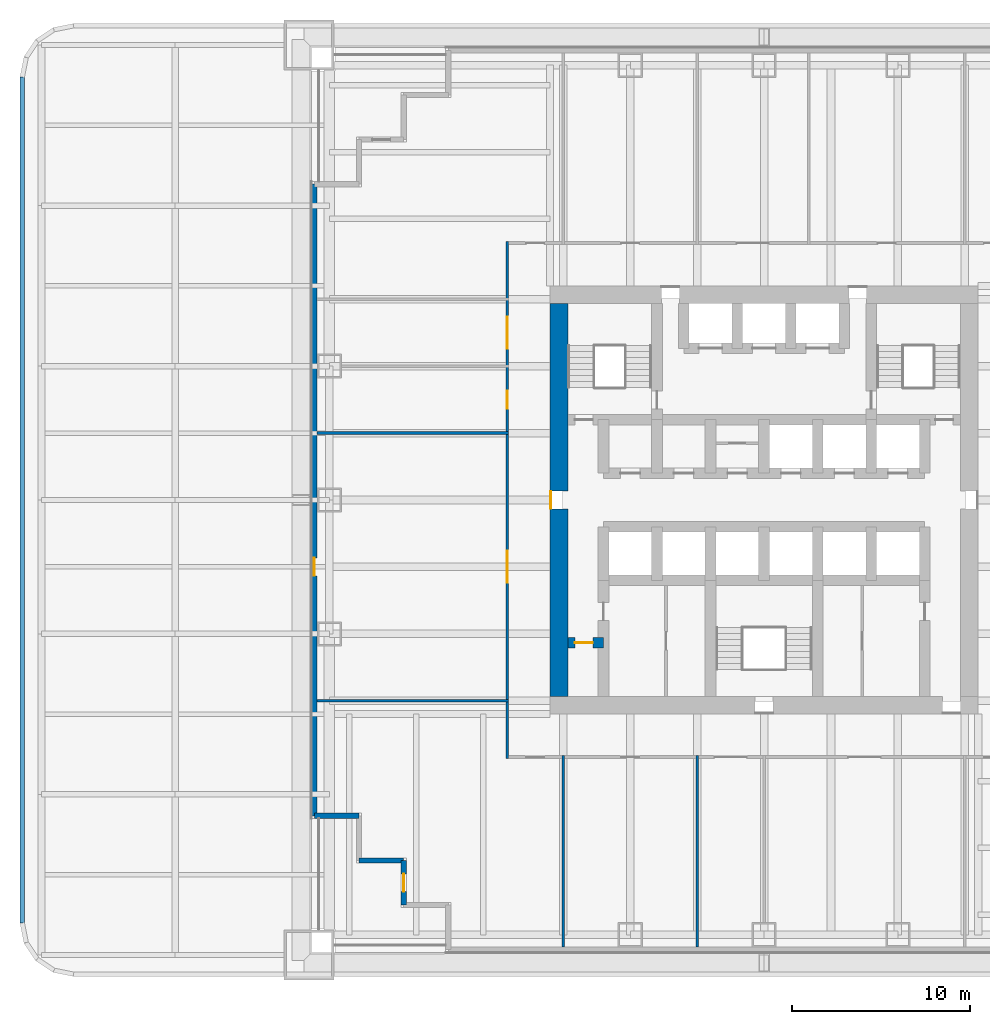
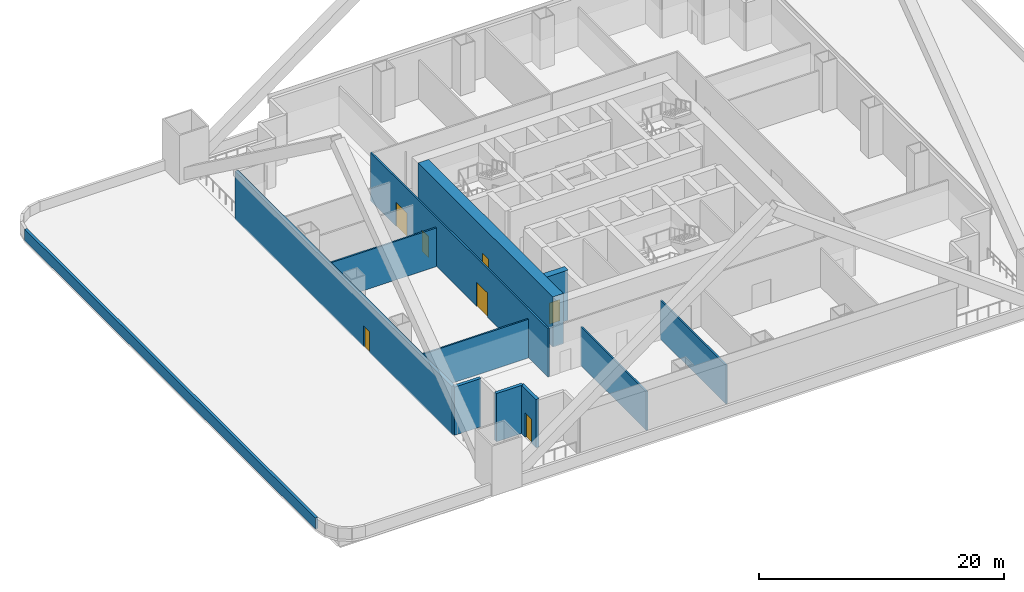
# One storey, part 4 of 10: 12 walls, 7 doors, 7 openings.
"""IFC4 building model written with IfcOpenShell, lengths in metres."""

import ifcopenshell
import ifcopenshell.guid

model = None  # the IFC model being written
_history = None  # IfcOwnerHistory: only IFC2X3 demands one
_inside = {}  # id of a spatial element -> (the spatial element, [elements in it])
_under = {}  # id of a project, library or spatial element -> (it, [spatial elements below it])
_declared = {}  # id of a project -> (the project, [libraries it declares])
_typed = {}  # id of a type object -> (the type object, [elements of that type])
_made_of = {}  # id of a material, layer set ... -> (it, [elements and type objects made of it])


def new_model(schema):
    """Start an empty IFC model of exactly this schema.

    Asked for "IFC4X3", IfcOpenShell would pick the latest addendum, in which some entities
    have other attributes; the version numbers below select the first issue.
    IFC2X3 requires an IfcOwnerHistory on every rooted entity: one is made here for all.
    """
    global model, _history
    if schema == "IFC4X3":
        model = ifcopenshell.file(schema_version=(4, 3, 0, 0))
    else:
        model = ifcopenshell.file(schema=schema)
    _inside.clear()
    _under.clear()
    _declared.clear()
    _typed.clear()
    _made_of.clear()
    _history = None
    if model.schema == "IFC2X3":
        org = make("IfcOrganization", Name="unknown")
        user = make(
            "IfcPersonAndOrganization",
            ThePerson=make("IfcPerson", FamilyName="unknown"),
            TheOrganization=org,
        )
        app = make(
            "IfcApplication",
            ApplicationDeveloper=org,
            Version="unknown",
            ApplicationFullName="unknown",
            ApplicationIdentifier="unknown",
        )
        _history = make(
            "IfcOwnerHistory",
            OwningUser=user,
            OwningApplication=app,
            ChangeAction="ADDED",
            CreationDate=0,
        )
    return model


def make(cls, **values):
    """One entity of the class cls with the attributes given. An attribute that is None is left unset."""
    return model.create_entity(
        cls, **{name: value for name, value in values.items() if value is not None}
    )


def rooted(cls, **values):
    """An entity with a GlobalId (a new one), such as an element, a storey or a relation."""
    return make(cls, GlobalId=ifcopenshell.guid.new(), OwnerHistory=_history, **values)


def si_unit(unit_type, name, prefix=None):
    """IfcSIUnit, for example si_unit("LENGTHUNIT", "METRE", prefix="MILLI")."""
    return make("IfcSIUnit", UnitType=unit_type, Prefix=prefix, Name=name)


def assignment(units):
    """IfcUnitAssignment: the units of a project."""
    return None if units is None else make("IfcUnitAssignment", Units=units)


def point(xyz):
    """IfcCartesianPoint."""
    return None if xyz is None else make("IfcCartesianPoint", Coordinates=xyz)


def direction(xyz):
    """IfcDirection."""
    return None if xyz is None else make("IfcDirection", DirectionRatios=xyz)


def frame(location, z_axis=None, x_axis=None):
    """IfcAxis2Placement3D, a coordinate frame: its origin and axes. An axis left out is left unset."""
    return make(
        "IfcAxis2Placement3D",
        Location=point(location),
        Axis=direction(z_axis),
        RefDirection=direction(x_axis),
    )


def frame_2d(location, x_axis=None):
    """IfcAxis2Placement2D, a coordinate frame in the plane: its origin and x axis."""
    return make(
        "IfcAxis2Placement2D", Location=point(location), RefDirection=direction(x_axis)
    )


def origin():
    """The frame at (0, 0, 0) with its axes left unset."""
    return frame((0.0, 0.0, 0.0))


def place(relative_to, where):
    """IfcLocalPlacement: puts the frame where relative to a parent placement (None: the world)."""
    return make(
        "IfcLocalPlacement", PlacementRelTo=relative_to, RelativePlacement=where
    )


def context(
    kind, dimensions, precision=None, world=None, true_north=None, identifier=None
):
    """IfcGeometricRepresentationContext, for example the 3D "Model" context."""
    return make(
        "IfcGeometricRepresentationContext",
        ContextIdentifier=identifier,
        ContextType=kind,
        CoordinateSpaceDimension=dimensions,
        Precision=precision,
        WorldCoordinateSystem=world,
        TrueNorth=true_north,
    )


def subcontext(parent, identifier, kind, view, scale=None):
    """IfcGeometricRepresentationSubContext, for example "Body" below "Model"."""
    return make(
        "IfcGeometricRepresentationSubContext",
        ContextIdentifier=identifier,
        ContextType=kind,
        ParentContext=parent,
        TargetScale=scale,
        TargetView=view,
    )


def project(units=None, contexts=None):
    """IfcProject with its units and contexts."""
    return rooted(
        "IfcProject",
        Name="project",
        RepresentationContexts=contexts,
        UnitsInContext=assignment(units),
    )


def spatial(cls, under=None, at=None, **own):
    """A site, building, storey or space (cls), placed at a placement, below another one or the project."""
    s = rooted(cls, ObjectPlacement=at, **own)
    if under is not None:
        _under.setdefault(under.id(), (under, []))[1].append(s)
    return s


def profile(cls, at=None, kind="AREA", **sizes):
    """A parametric profile (cls). Its sizes go by their IFC names, for example OverallWidth=200.0."""
    return make(cls, ProfileType=kind, Position=at, **sizes)


def rectangle(**sizes):
    """IfcRectangleProfileDef."""
    return profile("IfcRectangleProfileDef", **sizes)


def extrude(swept, where, along, depth):
    """IfcExtrudedAreaSolid: the profile swept, set in the frame where, extruded along a direction by depth."""
    return make(
        "IfcExtrudedAreaSolid",
        SweptArea=swept,
        Position=where,
        ExtrudedDirection=direction(along),
        Depth=depth,
    )


def shape(context_of_items, identifier, shape_type, items):
    """IfcShapeRepresentation: the items that make up one representation, for example the "Body"."""
    return make(
        "IfcShapeRepresentation",
        ContextOfItems=context_of_items,
        RepresentationIdentifier=identifier,
        RepresentationType=shape_type,
        Items=items,
    )


def material(Name=None, Category=None):
    """IfcMaterial."""
    return make("IfcMaterial", Name=Name, Category=Category)


def layer(
    of_material, thickness, ventilated=None, Name=None, Category=None, Priority=None
):
    """IfcMaterialLayer: one layer of a wall or slab, of a material (None: an air gap)."""
    return make(
        "IfcMaterialLayer",
        Material=of_material,
        LayerThickness=thickness,
        IsVentilated=ventilated,
        Name=Name,
        Category=Category,
        Priority=Priority,
    )


def layer_set(layers, Name=None):
    """IfcMaterialLayerSet."""
    return make("IfcMaterialLayerSet", MaterialLayers=layers, LayerSetName=Name)


def made_of(thing, what):
    """Note that an element or type object is made of a material, layer set ...; save() writes the relation."""
    if what is not None:
        _made_of.setdefault(what.id(), (what, []))[1].append(thing)
    return thing


def type_object(cls, material=None, **own):
    """A type object (cls), such as IfcWallType, which elements share."""
    return made_of(rooted(cls, **own), material)


def element(
    cls,
    number,
    at=None,
    inside=None,
    cuts=None,
    type_object=None,
    material=None,
    context=None,
    identifier="Body",
    shape_type=None,
    held_by="IfcProductDefinitionShape",
    body=None,
    shapes=None,
    **own,
):
    """One element of the class cls, such as IfcWall. Its Tag is "e" and its number.

    at: its placement. inside: the storey or other place that contains it. cuts: it is an
    opening in that element (IfcRelVoidsElement). A single representation is given by context,
    identifier, shape_type and body (its items); several are given by shapes. held_by: the class
    of the entity that holds the representations. save() writes the other relations.
    """
    e = rooted(cls, Tag="e%d" % number, ObjectPlacement=at, **own)
    if body is not None:
        shapes = [shape(context, identifier, shape_type, body)]
    if shapes is not None:
        e.Representation = make(held_by, Representations=shapes)
    if inside is not None:
        _inside.setdefault(inside.id(), (inside, []))[1].append(e)
    if cuts is not None:
        rooted(
            "IfcRelVoidsElement", RelatingBuildingElement=cuts, RelatedOpeningElement=e
        )
    if type_object is not None:
        _typed.setdefault(type_object.id(), (type_object, []))[1].append(e)
    return made_of(e, material)


def fill(opening, filler):
    """IfcRelFillsElement: the door or window that sits in an opening."""
    return rooted(
        "IfcRelFillsElement",
        RelatingOpeningElement=opening,
        RelatedBuildingElement=filler,
    )


def aggregate(whole, parts):
    """IfcRelAggregates: a whole, such as a stair, and the parts it consists of."""
    return rooted("IfcRelAggregates", RelatingObject=whole, RelatedObjects=parts)


def save(model, path):
    """Write the relations noted so far, then the file.

    IfcRelAggregates (storeys below a building ...), IfcRelContainedInSpatialStructure (elements
    in a storey), IfcRelDefinesByType, IfcRelAssociatesMaterial and IfcRelDeclares: one each for
    every whole, place, type object, material and project.
    """
    for whole, parts in _under.values():
        aggregate(whole, parts)
    for where, things in _inside.values():
        rooted(
            "IfcRelContainedInSpatialStructure",
            RelatedElements=things,
            RelatingStructure=where,
        )
    for kind, things in _typed.values():
        rooted("IfcRelDefinesByType", RelatedObjects=things, RelatingType=kind)
    for what, things in _made_of.values():
        rooted("IfcRelAssociatesMaterial", RelatedObjects=things, RelatingMaterial=what)
    for by, libraries in _declared.values():
        rooted("IfcRelDeclares", RelatingContext=by, RelatedDefinitions=libraries)
    model.write(path)


model = new_model("IFC4")

# Units and contexts
model_context = context("Model", 3, precision=1e-05, world=origin(), true_north=direction((0.0, 1.0)))
body_context = subcontext(model_context, "Body", "Model", "MODEL_VIEW")
ifc_project = project(units=[si_unit("LENGTHUNIT", "METRE"), si_unit("AREAUNIT", "SQUARE_METRE"), si_unit("VOLUMEUNIT", "CUBIC_METRE"), si_unit("PLANEANGLEUNIT", "RADIAN"), si_unit("MASSUNIT", "GRAM", prefix="KILO")], contexts=[model_context])

# Site, building, storey
site_placement = place(None, origin())
site = spatial("IfcSite", under=ifc_project, at=site_placement, CompositionType="ELEMENT")
building_placement = place(site_placement, origin())
building = spatial("IfcBuilding", under=site, at=building_placement, Name="Tarangal Relay Tower", CompositionType="ELEMENT")
storey_placement = place(building_placement, frame((0.0, 0.0, 23.39990234375)))
storey = spatial("IfcBuildingStorey", under=building, at=storey_placement, Name="L04", CompositionType="ELEMENT", Elevation=23.39990234375)

# Wall, opening, door
ifc_material_1 = material(Name="Concrete fc' 60 MPa", Category="concrete")
ifc_layer_1 = layer(ifc_material_1, 0.60009765625)
ifc_layer_set_1 = layer_set([ifc_layer_1], Name="Core inner wall 600")
wall_type_1 = type_object("IfcWallType", Name="Core inner wall 600", PredefinedType="SHEAR", material=ifc_layer_set_1)
wall_1_placement = place(storey_placement, frame((-11.0, -8.0, 0.0), z_axis=(0.0, 0.0, 1.0), x_axis=(1.0, 0.0, 0.0)))
wall_1 = element("IfcWall", 1, at=wall_1_placement, inside=storey, type_object=wall_type_1, Name="Core wall YM8 L04", PredefinedType="SHEAR", context=body_context, shape_type="SweptSolid", body=[
    extrude(rectangle(XDim=2.0, YDim=0.60009765625, at=frame_2d((1.0, 0.0))), origin(), (0.0, 0.0, 1.0), 5.0),
])
opening_1_placement = place(wall_1_placement, frame((0.39990234375, 0.0, 0.0)))
opening_1 = element("IfcOpeningElement", 2, at=opening_1_placement, cuts=wall_1, Name="Opening D1", PredefinedType="OPENING", context=body_context, shape_type="SweptSolid", body=[
    extrude(rectangle(XDim=1.0, YDim=2.10009765625, at=frame_2d((0.5, 1.050048828125))), frame((0.0, 0.31005859375, 0.0), z_axis=(0.0, -1.0, 0.0), x_axis=(1.0, 0.0, 0.0)), (0.0, 0.0, 1.0), 0.6201171875),
])
ifc_material_2 = material(Name="Hardwood door", Category="wood")
door_type_1 = type_object("IfcDoorType", Name="WC door 1000 x 2100", OperationType="SINGLE_SWING_LEFT", PredefinedType="DOOR", material=ifc_material_2)
door_1_placement = place(opening_1_placement, origin())
door_1 = element("IfcDoor", 3, at=door_1_placement, inside=storey, type_object=door_type_1, Name="Accessible WC door L04", OperationType="SINGLE_SWING_LEFT", OverallHeight=2.10009765625, OverallWidth=1.0, PredefinedType="DOOR", context=body_context, shape_type="SweptSolid", body=[
    extrude(rectangle(XDim=1.0, YDim=2.10009765625, at=frame_2d((0.5, 1.050048828125))), frame((0.0, 0.02490234375, 0.0), z_axis=(0.0, -1.0, 0.0), x_axis=(1.0, 0.0, 0.0)), (0.0, 0.0, 1.0), 0.050048828125),
])
fill(opening_1, door_1)

ifc_layer_2 = layer(ifc_material_1, 1.0)
ifc_layer_set_2 = layer_set([ifc_layer_2], Name="Core wall 1000")
wall_type_2 = type_object("IfcWallType", Name="Core wall 1000", PredefinedType="SHEAR", material=ifc_layer_set_2)
wall_2_placement = place(storey_placement, frame((-11.5, -11.0, 0.0), z_axis=(0.0, 0.0, 1.0), x_axis=(0.0, 1.0, 0.0)))
wall_2 = element("IfcWall", 4, at=wall_2_placement, inside=storey, type_object=wall_type_2, Name="Core wall W L04", PredefinedType="SHEAR", context=body_context, shape_type="SweptSolid", body=[
    extrude(rectangle(XDim=22.0, YDim=1.0, at=frame_2d((11.0, 0.0))), origin(), (0.0, 0.0, 1.0), 5.0),
])
opening_2_placement = place(wall_2_placement, frame((10.5, 0.0, 0.0)))
opening_2 = element("IfcOpeningElement", 5, at=opening_2_placement, cuts=wall_2, Name="Opening FD3", PredefinedType="OPENING", context=body_context, shape_type="SweptSolid", body=[
    extrude(rectangle(XDim=1.0, YDim=2.39990234375, at=frame_2d((0.5, 1.199951171875))), frame((0.0, 0.510009765625, 0.0), z_axis=(0.0, -1.0, 0.0), x_axis=(1.0, 0.0, 0.0)), (0.0, 0.0, 1.0), 1.02001953125),
])
ifc_material_3 = material(Name="Steel door with hardwood frame", Category="steel")
door_type_2 = type_object("IfcDoorType", Name="Fire door 1000 x 2400 core entry", OperationType="SINGLE_SWING_RIGHT", PredefinedType="DOOR", material=ifc_material_3)
door_2_placement = place(opening_2_placement, origin())
door_2 = element("IfcDoor", 6, at=door_2_placement, inside=storey, type_object=door_type_2, Name="Core entry door west L04", OperationType="SINGLE_SWING_RIGHT", OverallHeight=2.39990234375, OverallWidth=1.0, PredefinedType="DOOR", context=body_context, shape_type="SweptSolid", body=[
    extrude(rectangle(XDim=1.0, YDim=2.39990234375, at=frame_2d((0.5, 1.199951171875))), frame((0.0, 0.48486328125, 0.0), z_axis=(0.0, -1.0, 0.0), x_axis=(1.0, 0.0, 0.0)), (0.0, 0.0, 1.0), 0.050048828125),
])
fill(opening_2, door_2)

ifc_material_4 = material(Name="Insulated precast concrete fc' 40 MPa", Category="concrete")
ifc_layer_3 = layer(ifc_material_4, 0.300048828125)
ifc_layer_set_3 = layer_set([ifc_layer_3], Name="Insulated precast concrete fc' 40 MPa")
wall_type_3 = type_object("IfcWallType", Name="Facade wall precast 300", PredefinedType="SOLIDWALL", material=ifc_layer_set_3)
wall_3_placement = place(storey_placement, frame((-20.199951171875, -22.699951171875, 0.0), z_axis=(0.0, 0.0, 1.0), x_axis=(0.0, 1.0, 0.0)))
wall_3 = element("IfcWall", 7, at=wall_3_placement, inside=storey, type_object=wall_type_3, Name="Facade wall S facade L04", PredefinedType="SOLIDWALL", context=body_context, shape_type="SweptSolid", body=[
    extrude(rectangle(XDim=2.5, YDim=0.300048828125, at=frame_2d((1.25, 0.0))), origin(), (0.0, 0.0, 1.0), 4.800048828125),
])
opening_3_placement = place(wall_3_placement, frame((0.75, 0.0, 0.0)))
opening_3 = element("IfcOpeningElement", 8, at=opening_3_placement, cuts=wall_3, Name="Opening TD1", PredefinedType="OPENING", context=body_context, shape_type="SweptSolid", body=[
    extrude(rectangle(XDim=1.0, YDim=2.39990234375, at=frame_2d((0.5, 1.199951171875))), frame((0.0, 0.159912109375, 0.0), z_axis=(0.0, -1.0, 0.0), x_axis=(1.0, 0.0, 0.0)), (0.0, 0.0, 1.0), 0.320068359375),
])
ifc_material_5 = material(Name="Aluminium glazed door", Category="aluminium")
door_type_3 = type_object("IfcDoorType", Name="Terrace door 1000 x 2400", OperationType="SINGLE_SWING_RIGHT", PredefinedType="DOOR", material=ifc_material_5)
door_3_placement = place(opening_3_placement, origin())
door_3 = element("IfcDoor", 9, at=door_3_placement, inside=storey, type_object=door_type_3, Name="Terrace door TD1 SW L04", OperationType="SINGLE_SWING_RIGHT", OverallHeight=2.39990234375, OverallWidth=1.0, PredefinedType="DOOR", context=body_context, shape_type="SweptSolid", body=[
    extrude(rectangle(XDim=1.0, YDim=2.39990234375, at=frame_2d((0.5, 1.199951171875))), frame((0.0, 0.02490234375, 0.0), z_axis=(0.0, -1.0, 0.0), x_axis=(1.0, 0.0, 0.0)), (0.0, 0.0, 1.0), 0.050048828125),
])
fill(opening_3, door_3)

# Walls
for number, where, z_axis, x_axis, name in (
    (10, (-20.199951171875, -20.199951171875, 0.0), (0.0, 0.0, 1.0), (-1.0, 0.0, 0.0), "Facade wall S facade L04"),
    (11, (-22.699951171875, -17.699951171875, 0.0), (0.0, 0.0, 1.0), (-1.0, 0.0, 0.0), "Facade wall S facade L04"),
):
    element("IfcWall", number, at=place(storey_placement, frame(where, z_axis=z_axis, x_axis=x_axis)), inside=storey, type_object=wall_type_3, Name=name, PredefinedType="SOLIDWALL", context=body_context, shape_type="SweptSolid", body=[
        extrude(rectangle(XDim=2.5, YDim=0.300048828125, at=frame_2d((1.25, 0.0))), origin(), (0.0, 0.0, 1.0), 4.800048828125),
    ])

# Wall, opening, door
wall_4_placement = place(storey_placement, frame((-25.199951171875, -17.699951171875, 0.0), z_axis=(0.0, 0.0, 1.0), x_axis=(0.0, 1.0, 0.0)))
wall_4 = element("IfcWall", 12, at=wall_4_placement, inside=storey, type_object=wall_type_3, Name="Facade wall W facade L04", PredefinedType="SOLIDWALL", context=body_context, shape_type="SweptSolid", body=[
    extrude(rectangle(XDim=35.39990234375, YDim=0.300048828125, at=frame_2d((17.699951171875, 0.0))), origin(), (0.0, 0.0, 1.0), 4.800048828125),
])
opening_4_placement = place(wall_4_placement, frame((13.449951171875, 0.0, 0.0)))
opening_4 = element("IfcOpeningElement", 13, at=opening_4_placement, cuts=wall_4, Name="Opening MD1", PredefinedType="OPENING", context=body_context, shape_type="SweptSolid", body=[
    extrude(rectangle(XDim=1.0, YDim=2.10009765625, at=frame_2d((0.5, 1.050048828125))), frame((0.0, 0.159912109375, 0.0), z_axis=(0.0, -1.0, 0.0), x_axis=(1.0, 0.0, 0.0)), (0.0, 0.0, 1.0), 0.320068359375),
])
door_type_4 = type_object("IfcDoorType", Name="Maintenance access door 1000 x 2100", OperationType="SINGLE_SWING_RIGHT", PredefinedType="DOOR", material=ifc_material_3)
door_4_placement = place(opening_4_placement, origin())
door_4 = element("IfcDoor", 14, at=door_4_placement, inside=storey, type_object=door_type_4, Name="Maintenance access door MD1 podium roof L04", OperationType="SINGLE_SWING_RIGHT", OverallHeight=2.10009765625, OverallWidth=1.0, PredefinedType="DOOR", context=body_context, shape_type="SweptSolid", body=[
    extrude(rectangle(XDim=1.0, YDim=2.10009765625, at=frame_2d((0.5, 1.050048828125))), frame((0.0, 0.02490234375, 0.0), z_axis=(0.0, -1.0, 0.0), x_axis=(1.0, 0.0, 0.0)), (0.0, 0.0, 1.0), 0.050048828125),
])
fill(opening_4, door_4)

# Walls
ifc_material_6 = material(Name="Concrete parapet with metal coping", Category="concrete")
ifc_layer_4 = layer(ifc_material_6, 0.25)
ifc_layer_set_4 = layer_set([ifc_layer_4], Name="Parapet 250")
wall_type_4 = type_object("IfcWallType", Name="Parapet 250", PredefinedType="PARAPET", material=ifc_layer_set_4)
wall_5_placement = place(storey_placement, frame((-41.574951171875, 23.699951171875, 0.0), z_axis=(0.0, 0.0, 1.0), x_axis=(0.0, -1.0, 0.0)))
element("IfcWall", 15, at=wall_5_placement, inside=storey, type_object=wall_type_4, Name="Podium roof parapet PP1", PredefinedType="PARAPET", context=body_context, shape_type="SweptSolid", body=[
    extrude(rectangle(XDim=47.39990234375, YDim=0.25, at=frame_2d((23.699951171875, 0.0))), origin(), (0.0, 0.0, 1.0), 1.10009765625),
])
ifc_material_7 = material(Name="Gypsum board on steel studs", Category="steel")
ifc_layer_5 = layer(ifc_material_7, 0.14990234375)
ifc_layer_set_5 = layer_set([ifc_layer_5], Name="Partition 150")
wall_type_5 = type_object("IfcWallType", Name="Partition 150", PredefinedType="PARTITIONING", material=ifc_layer_set_5)
for number, where, z_axis, x_axis, name in (
    (16, (-25.050048828125, -11.25, 0.0), (0.0, 0.0, 1.0), (1.0, 0.0, 0.0), "Partition PT1 L04"),
    (17, (-25.050048828125, 3.75, 0.0), (0.0, 0.0, 1.0), (1.0, 0.0, 0.0), "Partition PT1 L04"),
):
    element("IfcWall", number, at=place(storey_placement, frame(where, z_axis=z_axis, x_axis=x_axis)), inside=storey, type_object=wall_type_5, Name=name, PredefinedType="PARTITIONING", context=body_context, shape_type="SweptSolid", body=[
        extrude(rectangle(XDim=10.72509765625, YDim=0.14990234375, at=frame_2d((5.362548828125, 0.0))), origin(), (0.0, 0.0, 1.0), 3.852783203125),
    ])

# Wall, openings, doors
wall_6_placement = place(storey_placement, frame((-14.39990234375, -14.47509765625, 0.0), z_axis=(0.0, 0.0, 1.0), x_axis=(0.0, 1.0, 0.0)))
wall_6 = element("IfcWall", 18, at=wall_6_placement, inside=storey, type_object=wall_type_5, Name="Partition PT1 L04", PredefinedType="PARTITIONING", context=body_context, shape_type="SweptSolid", body=[
    extrude(rectangle(XDim=28.9501953125, YDim=0.14990234375, at=frame_2d((14.47509765625, 0.0))), origin(), (0.0, 0.0, 1.0), 4.800048828125),
])
opening_5_placement = place(wall_6_placement, frame((9.824951171875, 0.0, 0.0)))
opening_5 = element("IfcOpeningElement", 19, at=opening_5_placement, cuts=wall_6, Name="Opening DD1", PredefinedType="OPENING", context=body_context, shape_type="SweptSolid", body=[
    extrude(rectangle(XDim=1.800048828125, YDim=2.39990234375, at=frame_2d((0.89990234375, 1.199951171875))), frame((0.0, 0.0849609375, 0.0), z_axis=(0.0, -1.0, 0.0), x_axis=(1.0, 0.0, 0.0)), (0.0, 0.0, 1.0), 0.169921875),
])
opening_6_placement = place(wall_6_placement, frame((19.60009765625, 0.0, 0.0)))
opening_6 = element("IfcOpeningElement", 20, at=opening_6_placement, cuts=wall_6, Name="Opening D2", PredefinedType="OPENING", context=body_context, shape_type="SweptSolid", body=[
    extrude(rectangle(XDim=1.0, YDim=2.10009765625, at=frame_2d((0.5, 1.050048828125))), frame((0.0, 0.0849609375, 0.0), z_axis=(0.0, -1.0, 0.0), x_axis=(1.0, 0.0, 0.0)), (0.0, 0.0, 1.0), 0.169921875),
])
opening_7_placement = place(wall_6_placement, frame((22.949951171875, 0.0, 0.0)))
opening_7 = element("IfcOpeningElement", 21, at=opening_7_placement, cuts=wall_6, Name="Opening DD1", PredefinedType="OPENING", context=body_context, shape_type="SweptSolid", body=[
    extrude(rectangle(XDim=1.800048828125, YDim=2.39990234375, at=frame_2d((0.89990234375, 1.199951171875))), frame((0.0, 0.0849609375, 0.0), z_axis=(0.0, -1.0, 0.0), x_axis=(1.0, 0.0, 0.0)), (0.0, 0.0, 1.0), 0.169921875),
])
door_type_5 = type_object("IfcDoorType", Name="Door 1000 x 2100", OperationType="SINGLE_SWING_LEFT", PredefinedType="DOOR", material=ifc_material_2)
door_5_placement = place(opening_6_placement, origin())
door_5 = element("IfcDoor", 22, at=door_5_placement, inside=storey, type_object=door_type_5, Name="Door D2 to packaging waste store L04-11", OperationType="SINGLE_SWING_LEFT", OverallHeight=2.10009765625, OverallWidth=1.0, PredefinedType="DOOR", context=body_context, shape_type="SweptSolid", body=[
    extrude(rectangle(XDim=1.0, YDim=2.10009765625, at=frame_2d((0.5, 1.050048828125))), frame((0.0, 0.02490234375, 0.0), z_axis=(0.0, -1.0, 0.0), x_axis=(1.0, 0.0, 0.0)), (0.0, 0.0, 1.0), 0.050048828125),
])
fill(opening_6, door_5)
door_type_6 = type_object("IfcDoorType", Name="Equipment double door 1800 x 2400", OperationType="DOUBLE_DOOR_SINGLE_SWING", PredefinedType="DOOR", material=ifc_material_3)
door_6_placement = place(opening_5_placement, origin())
door_6 = element("IfcDoor", 23, at=door_6_placement, inside=storey, type_object=door_type_6, Name="Door DD1 to gas suppression cylinder room L04-10", OperationType="DOUBLE_DOOR_SINGLE_SWING", OverallHeight=2.39990234375, OverallWidth=1.800048828125, PredefinedType="DOOR", context=body_context, shape_type="SweptSolid", body=[
    extrude(rectangle(XDim=1.800048828125, YDim=2.39990234375, at=frame_2d((0.89990234375, 1.199951171875))), frame((0.0, 0.02490234375, 0.0), z_axis=(0.0, -1.0, 0.0), x_axis=(1.0, 0.0, 0.0)), (0.0, 0.0, 1.0), 0.050048828125),
])
fill(opening_5, door_6)
door_7_placement = place(opening_7_placement, origin())
door_7 = element("IfcDoor", 24, at=door_7_placement, inside=storey, type_object=door_type_6, Name="Door DD1 to carrier entrance room L04-12", OperationType="DOUBLE_DOOR_SINGLE_SWING", OverallHeight=2.39990234375, OverallWidth=1.800048828125, PredefinedType="DOOR", context=body_context, shape_type="SweptSolid", body=[
    extrude(rectangle(XDim=1.800048828125, YDim=2.39990234375, at=frame_2d((0.89990234375, 1.199951171875))), frame((0.0, 0.02490234375, 0.0), z_axis=(0.0, -1.0, 0.0), x_axis=(1.0, 0.0, 0.0)), (0.0, 0.0, 1.0), 0.050048828125),
])
fill(opening_7, door_7)

# Walls
for number, where, z_axis, x_axis, name in (
    (25, (-11.25, -25.050048828125, 0.0), (0.0, 0.0, 1.0), (0.0, 1.0, 0.0), "Partition PT1 L04"),
    (26, (-3.75, -25.050048828125, 0.0), (0.0, 0.0, 1.0), (0.0, 1.0, 0.0), "Partition PT1 L04"),
):
    element("IfcWall", number, at=place(storey_placement, frame(where, z_axis=z_axis, x_axis=x_axis)), inside=storey, type_object=wall_type_5, Name=name, PredefinedType="PARTITIONING", context=body_context, shape_type="SweptSolid", body=[
        extrude(rectangle(XDim=10.72509765625, YDim=0.14990234375, at=frame_2d((5.362548828125, 0.0))), origin(), (0.0, 0.0, 1.0), 3.852783203125),
    ])

save(model, "model.ifc")
